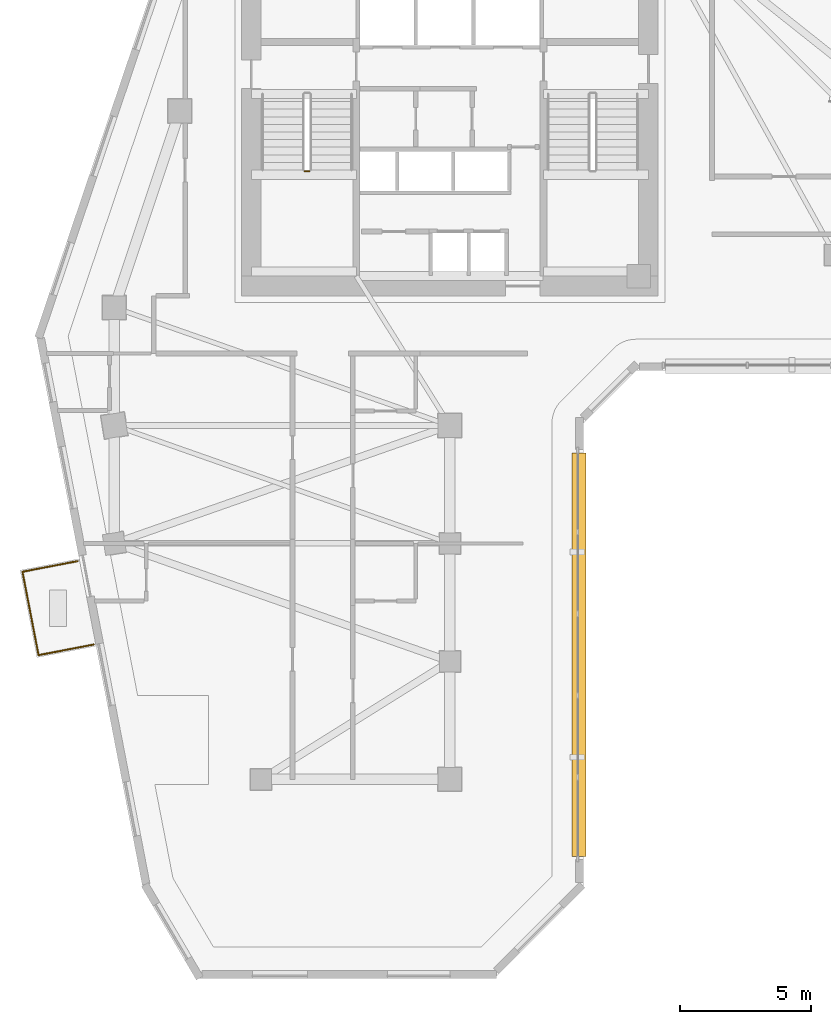
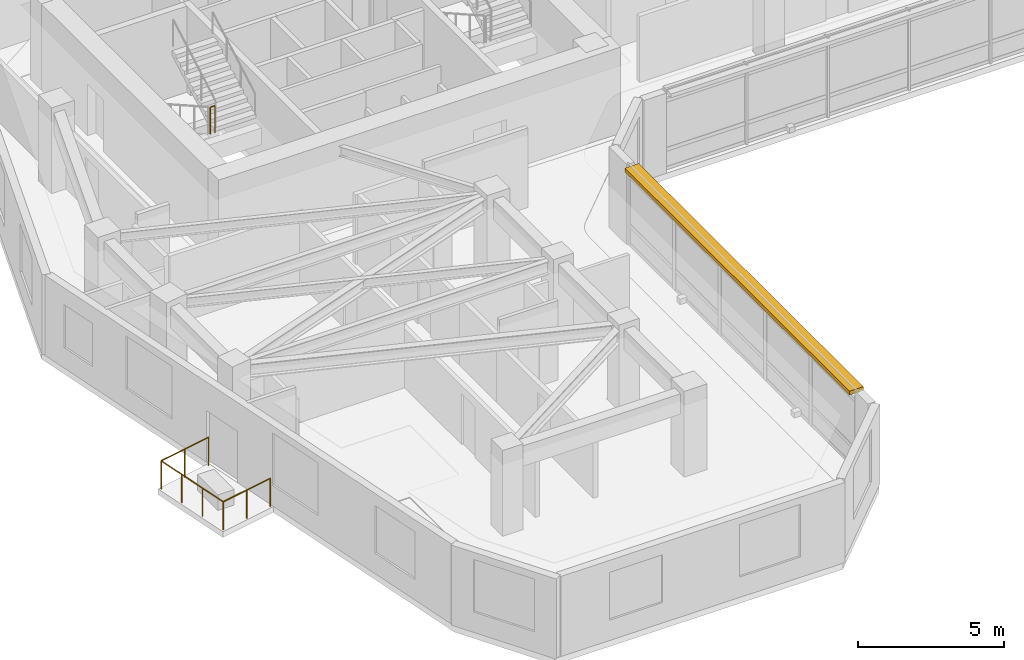
# One storey, part 9 of 11: 4 railings, 1 shading device.
"""IFC4 building model written with IfcOpenShell, lengths in metres."""

from ifc_helpers import new_model, si_unit, direction, frame, frame_2d, origin, origin_2d, place, context, subcontext, project, spatial, rectangle, circle, extrude, material, type_object, element, save


model = new_model("IFC4")

# Units and contexts
model_context = context("Model", 3, precision=1e-05, world=origin(), true_north=direction((0.0, 1.0)))
body_context = subcontext(model_context, "Body", "Model", "MODEL_VIEW")
ifc_project = project(units=[si_unit("LENGTHUNIT", "METRE"), si_unit("AREAUNIT", "SQUARE_METRE"), si_unit("VOLUMEUNIT", "CUBIC_METRE"), si_unit("PLANEANGLEUNIT", "RADIAN"), si_unit("MASSUNIT", "GRAM", prefix="KILO")], contexts=[model_context])

# Site, building, storey
site_placement = place(None, origin())
site = spatial("IfcSite", under=ifc_project, at=site_placement, CompositionType="ELEMENT")
building_placement = place(site_placement, origin())
building = spatial("IfcBuilding", under=site, at=building_placement, Name="Calvemar Wedge Station Tower", CompositionType="ELEMENT")
storey_placement = place(building_placement, frame((0.0, 0.0, 114.199951171875)))
storey = spatial("IfcBuildingStorey", under=building, at=storey_placement, Name="L27", CompositionType="ELEMENT", Elevation=114.199951171875)

# Railings
ifc_material_1 = material(Name="Stainless steel AISI 316L", Category="steel")
railing_type_1 = type_object("IfcRailingType", Name="GRD-TERR-1200", PredefinedType="GUARDRAIL", material=ifc_material_1)
railing_1_placement = place(storey_placement, frame((10.209228515625, 20.144287109375, 0.0)))
element("IfcRailing", 1, at=railing_1_placement, inside=storey, type_object=railing_type_1, Name="Storey L27 Spiral Terrace Guard 2", PredefinedType="GUARDRAIL", context=body_context, shape_type="SweptSolid", body=[
    extrude(circle(Radius=0.02392578125, at=origin_2d()), frame((0.0, 0.0, 1.17578125), z_axis=(-0.981875176811, -0.189528723845, 0.0), x_axis=(0.189528723845, -0.981875176811, 0.0)), (0.0, 0.0, 1.0), 2.1396484375),
    extrude(circle(Radius=0.02099609375, at=origin_2d()), origin(), (0.0, 0.0, 1.0), 1.15185546875),
    extrude(circle(Radius=0.02099609375, at=origin_2d()), frame((-1.05029296875, -0.20263671875, 0.0)), (0.0, 0.0, 1.0), 1.15185546875),
    extrude(circle(Radius=0.02099609375, at=origin_2d()), frame((-2.100830078125, -0.405517578125, 0.0)), (0.0, 0.0, 1.0), 1.15185546875),
])
railing_2_placement = place(storey_placement, frame((8.1083984375, 19.73876953125, 0.0)))
element("IfcRailing", 2, at=railing_2_placement, inside=storey, type_object=railing_type_1, Name="Storey L27 Spiral Terrace Guard 3", PredefinedType="GUARDRAIL", context=body_context, shape_type="SweptSolid", body=[
    extrude(circle(Radius=0.02392578125, at=origin_2d()), frame((0.0, 0.0, 1.17578125), z_axis=(-0.189750098435, 0.981832419583, 0.0), x_axis=(-0.981832419583, -0.189750098435, 0.0)), (0.0, 0.0, 1.0), 3.23974609375),
    extrude(circle(Radius=0.02099609375, at=origin_2d()), origin(), (0.0, 0.0, 1.0), 1.15185546875),
    extrude(circle(Radius=0.02099609375, at=origin_2d()), frame((-0.204833984375, 1.060302734375, 0.0)), (0.0, 0.0, 1.0), 1.15185546875),
    extrude(circle(Radius=0.02099609375, at=origin_2d()), frame((-0.409912109375, 2.12060546875, 0.0)), (0.0, 0.0, 1.0), 1.15185546875),
    extrude(circle(Radius=0.02099609375, at=origin_2d()), frame((-0.61474609375, 3.180908203125, 0.0)), (0.0, 0.0, 1.0), 1.15185546875),
])
railing_3_placement = place(storey_placement, frame((7.49365234375, 22.919677734375, 0.0)))
element("IfcRailing", 3, at=railing_3_placement, inside=storey, type_object=railing_type_1, Name="Storey L27 Spiral Terrace Guard 4", PredefinedType="GUARDRAIL", context=body_context, shape_type="SweptSolid", body=[
    extrude(circle(Radius=0.02392578125, at=origin_2d()), frame((0.0, 0.0, 1.17578125), z_axis=(0.981875176811, 0.189528723845, 0.0), x_axis=(-0.189528723845, 0.981875176811, 0.0)), (0.0, 0.0, 1.0), 2.1396484375),
    extrude(circle(Radius=0.02099609375, at=origin_2d()), origin(), (0.0, 0.0, 1.0), 1.15185546875),
    extrude(circle(Radius=0.02099609375, at=origin_2d()), frame((1.05029296875, 0.20263671875, 0.0)), (0.0, 0.0, 1.0), 1.15185546875),
    extrude(circle(Radius=0.02099609375, at=origin_2d()), frame((2.100830078125, 0.405517578125, 0.0)), (0.0, 0.0, 1.0), 1.15185546875),
])
ifc_material_2 = material(Name="Painted steel guardrail ASTM A500 Grade C", Category="steel")
railing_type_2 = type_object("IfcRailingType", Name="RL-STAIR-GUARD-1150", PredefinedType="GUARDRAIL", material=ifc_material_2)
railing_4_placement = place(storey_placement, frame((18.260009765625, 38.199951171875, 1.800048828125)))
element("IfcRailing", 4, at=railing_4_placement, inside=storey, type_object=railing_type_2, Name="L27 ST-C1 stair guard 2", PredefinedType="GUARDRAIL", context=body_context, shape_type="SweptSolid", body=[
    extrude(circle(Radius=0.02392578125, at=origin_2d()), frame((0.0, 0.0, 1.1259765625), z_axis=(1.0, 0.0, 0.0), x_axis=(0.0, 1.0, 0.0)), (0.0, 0.0, 1.0), 0.179931640625),
    extrude(circle(Radius=0.02099609375, at=origin_2d()), origin(), (0.0, 0.0, 1.0), 1.101806640625),
    extrude(circle(Radius=0.02099609375, at=origin_2d()), frame((0.179931640625, 0.0, 0.0)), (0.0, 0.0, 1.0), 1.101806640625),
])

# Shading device
ifc_material_3 = material(Name="Precast concrete C45", Category="concrete")
shading_device_type = type_object("IfcShadingDeviceType", Name="SHD-EYEBROW-1", PredefinedType="SHUTTER", material=ifc_material_3)
shading_device_placement = place(storey_placement, frame((28.72607421875, 12.06201171875, 3.170166015625), z_axis=(0.0, 0.0, 1.0), x_axis=(0.0, 1.0, 0.0)))
element("IfcShadingDevice", 5, at=shading_device_placement, inside=storey, type_object=shading_device_type, Name="Storey L27 Bronze GFRC Solar Eyebrow 4", PredefinedType="SHUTTER", context=body_context, shape_type="SweptSolid", body=[
    extrude(rectangle(XDim=15.39208984375, YDim=0.550048828125, at=frame_2d((7.696044921875, 0.0))), origin(), (0.0, 0.0, 1.0), 0.159912109375),
])

save(model, "model.ifc")
